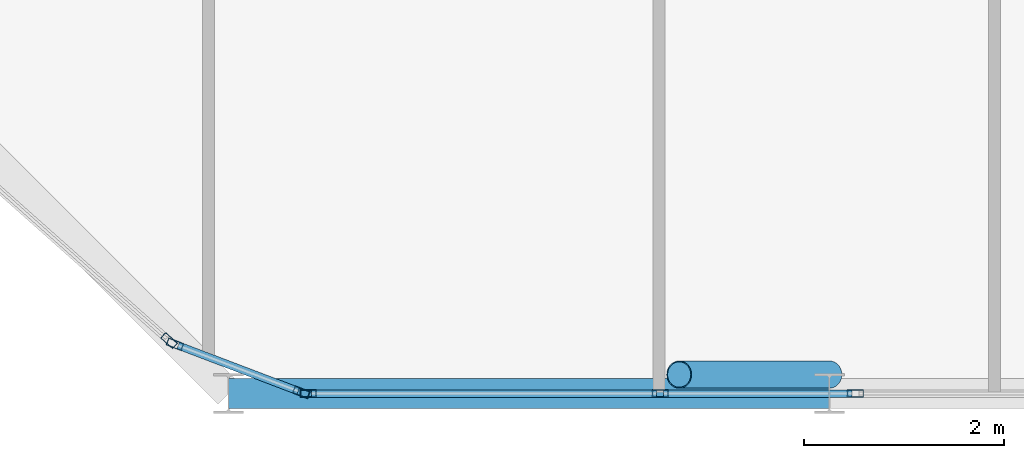
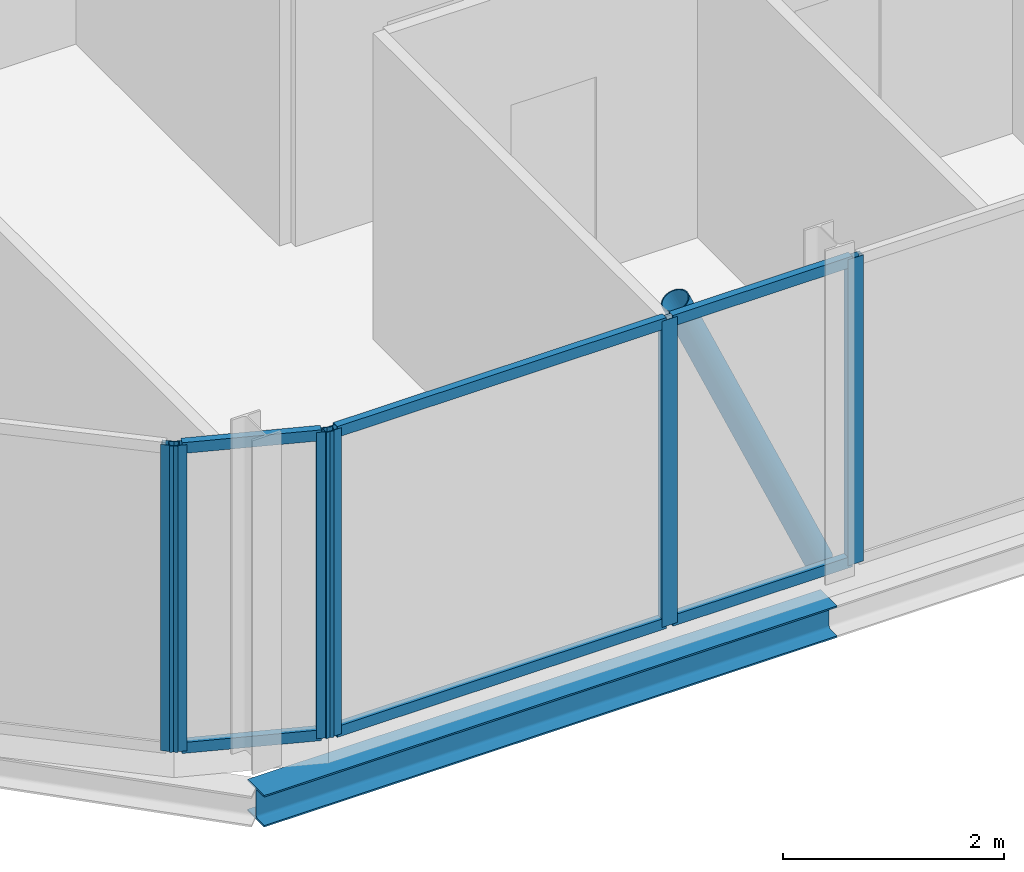
# One storey, part 6 of 27: 13 members, 1 beam, 5 elements without a shape of their own.
"""IFC4 building model written with IfcOpenShell, lengths in metres."""

from ifc_helpers import new_model, si_unit, direction, frame, origin, origin_2d, place, context, subcontext, project, spatial, hollow_rectangle, hollow_circle, i_section, extrude, material, layer, layer_set, material_profile, profile_set, type_object, element, aggregate, save


model = new_model("IFC4")

# Units and contexts
model_context = context("Model", 3, precision=1e-05, world=origin(), true_north=direction((0.0, 1.0)))
body_context = subcontext(model_context, "Body", "Model", "MODEL_VIEW")
ifc_project = project(units=[si_unit("LENGTHUNIT", "METRE"), si_unit("AREAUNIT", "SQUARE_METRE"), si_unit("VOLUMEUNIT", "CUBIC_METRE"), si_unit("PLANEANGLEUNIT", "RADIAN"), si_unit("MASSUNIT", "GRAM", prefix="KILO")], contexts=[model_context])

# Site, building, storey
site_placement = place(None, origin())
site = spatial("IfcSite", under=ifc_project, at=site_placement, CompositionType="ELEMENT")
building_placement = place(site_placement, origin())
building = spatial("IfcBuilding", under=site, at=building_placement, Name="Keshet Zoharim Tower", CompositionType="ELEMENT")
storey_placement = place(building_placement, frame((0.0, 0.0, 247.300048828125)))
storey = spatial("IfcBuildingStorey", under=building, at=storey_placement, Name="L61", CompositionType="ELEMENT", Elevation=247.300048828125)

# Beam
ifc_material_1 = material(Name="Steel S355", Category="steel")
ifc_material_profile_1 = material_profile(ifc_material_1, i_section(OverallWidth=0.300048828125, OverallDepth=0.35009765625, WebThickness=0.010009765625, FlangeThickness=0.017578125, FilletRadius=0.027099609375, at=origin_2d()), Name="HEA360")
ifc_profile_set_1 = profile_set([ifc_material_profile_1], Name="Steel S355")
beam_type = type_object("IfcBeamType", Name="BM-PRI-HA360", PredefinedType="BEAM", material=ifc_profile_set_1)
beam_placement = place(storey_placement, frame((21.0, 6.699951171875, -0.485107421875), z_axis=(1.0, 0.0, 0.0), x_axis=(0.0, 1.0, 0.0)))
element("IfcBeam", 1, at=beam_placement, inside=storey, type_object=beam_type, Name="L61 Primary Girder X-001", PredefinedType="BEAM", context=body_context, shape_type="SweptSolid", body=[
    extrude(i_section(OverallWidth=0.300048828125, OverallDepth=0.35009765625, WebThickness=0.010009765625, FlangeThickness=0.017578125, FilletRadius=0.027099609375, at=origin_2d()), origin(), (0.0, 0.0, 1.0), 6.0),
])

# Curtain wall, member
ifc_material_2 = material(Name="Aluminium 6063-T6", Category="aluminium")
ifc_layer = layer(ifc_material_2, 0.260009765625)
ifc_layer_set = layer_set([ifc_layer], Name="Aluminium 6063-T6")
curtain_wall_type = type_object("IfcCurtainWallType", Name="CW-SYS-06", PredefinedType="NOTDEFINED", material=ifc_layer_set)
curtain_wall_1_placement = place(storey_placement, origin())
curtain_wall_1 = element("IfcCurtainWall", 2, at=curtain_wall_1_placement, inside=storey, type_object=curtain_wall_type, Name="L61 Unitised Curtain Wall 14", PredefinedType="NOTDEFINED")
ifc_material_profile_2 = material_profile(ifc_material_2, hollow_rectangle(XDim=0.074951171875, YDim=0.159912109375, WallThickness=0.00390625, at=origin_2d()), Name="MUL-75x160")
ifc_profile_set_2 = profile_set([ifc_material_profile_2], Name="Aluminium 6063-T6")
member_type_1 = type_object("IfcMemberType", Name="CWM-M15", PredefinedType="MULLION", material=ifc_profile_set_2)
member_1_placement = place(storey_placement, frame((27.259765625, 6.699951171875, 0.0), z_axis=(0.0, 0.0, 1.0), x_axis=(0.0, -1.0, 0.0)))
member_1 = element("IfcMember", 3, at=member_1_placement, type_object=member_type_1, Name="CW-06 mullion 2", PredefinedType="MULLION", context=body_context, shape_type="SweptSolid", body=[
    extrude(hollow_rectangle(XDim=0.074951171875, YDim=0.159912109375, WallThickness=0.00390625, at=origin_2d()), origin(), (0.0, 0.0, 1.0), 3.389892578125),
])
aggregate(curtain_wall_1, [member_1])

curtain_wall_2_placement = place(storey_placement, origin())
curtain_wall_2 = element("IfcCurtainWall", 4, at=curtain_wall_2_placement, inside=storey, type_object=curtain_wall_type, Name="L61 Unitised Curtain Wall 14 Part 2", PredefinedType="NOTDEFINED")
member_2_placement = place(storey_placement, frame((25.310302734375, 6.699951171875, 0.0), z_axis=(0.0, 0.0, 1.0), x_axis=(0.0, -1.0, 0.0)))
member_2 = element("IfcMember", 5, at=member_2_placement, type_object=member_type_1, Name="CW-06 mullion 2", PredefinedType="MULLION", context=body_context, shape_type="SweptSolid", body=[
    extrude(hollow_rectangle(XDim=0.074951171875, YDim=0.159912109375, WallThickness=0.00390625, at=origin_2d()), origin(), (0.0, 0.0, 1.0), 3.389892578125),
])

curtain_wall_3_placement = place(storey_placement, origin())
curtain_wall_3 = element("IfcCurtainWall", 6, at=curtain_wall_3_placement, inside=storey, type_object=curtain_wall_type, Name="L61 Unitised Curtain Wall 14 Part 3", PredefinedType="NOTDEFINED")
member_3_placement = place(storey_placement, frame((21.794921875, 6.699951171875, 0.0), z_axis=(0.0, 0.0, 1.0), x_axis=(0.0, -1.0, 0.0)))
member_3 = element("IfcMember", 7, at=member_3_placement, type_object=member_type_1, Name="CW-06 mullion 2", PredefinedType="MULLION", context=body_context, shape_type="SweptSolid", body=[
    extrude(hollow_rectangle(XDim=0.074951171875, YDim=0.159912109375, WallThickness=0.00390625, at=origin_2d()), origin(), (0.0, 0.0, 1.0), 3.389892578125),
])

# Curtain wall, members
curtain_wall_4_placement = place(storey_placement, origin())
curtain_wall_4 = element("IfcCurtainWall", 8, at=curtain_wall_4_placement, inside=storey, type_object=curtain_wall_type, Name="L61 Unitised Curtain Wall 15", PredefinedType="NOTDEFINED")
member_4_placement = place(storey_placement, frame((21.727294921875, 6.71240234375, 0.0), z_axis=(0.0, 0.0, 1.0), x_axis=(-0.355439161326, -0.934699418314, 0.0)))
member_4 = element("IfcMember", 9, at=member_4_placement, type_object=member_type_1, Name="CW-06 mullion 1", PredefinedType="MULLION", context=body_context, shape_type="SweptSolid", body=[
    extrude(hollow_rectangle(XDim=0.074951171875, YDim=0.159912109375, WallThickness=0.00390625, at=origin_2d()), origin(), (0.0, 0.0, 1.0), 3.389892578125),
])
member_5_placement = place(storey_placement, frame((20.464599609375, 7.192626953125, 0.0), z_axis=(0.0, 0.0, 1.0), x_axis=(-0.355439161326, -0.934699418314, 0.0)))
member_5 = element("IfcMember", 10, at=member_5_placement, type_object=member_type_1, Name="CW-06 mullion 2", PredefinedType="MULLION", context=body_context, shape_type="SweptSolid", body=[
    extrude(hollow_rectangle(XDim=0.074951171875, YDim=0.159912109375, WallThickness=0.00390625, at=origin_2d()), origin(), (0.0, 0.0, 1.0), 3.389892578125),
])

# Curtain wall, member
curtain_wall_5_placement = place(storey_placement, origin())
curtain_wall_5 = element("IfcCurtainWall", 11, at=curtain_wall_5_placement, inside=storey, type_object=curtain_wall_type, Name="L61 Unitised Curtain Wall 16", PredefinedType="NOTDEFINED")
member_6_placement = place(storey_placement, frame((20.40576171875, 7.228271484375, 0.0), z_axis=(0.0, 0.0, 1.0), x_axis=(-0.664362180559, -0.747410792699, 0.0)))
member_6 = element("IfcMember", 12, at=member_6_placement, type_object=member_type_1, Name="CW-06 mullion 1", PredefinedType="MULLION", context=body_context, shape_type="SweptSolid", body=[
    extrude(hollow_rectangle(XDim=0.074951171875, YDim=0.159912109375, WallThickness=0.00390625, at=origin_2d()), origin(), (0.0, 0.0, 1.0), 3.389892578125),
])
aggregate(curtain_wall_5, [member_6])

# Member
ifc_material_profile_3 = material_profile(ifc_material_2, hollow_rectangle(XDim=0.074951171875, YDim=0.1201171875, WallThickness=0.00390625, at=origin_2d()), Name="TRN-75x120")
ifc_profile_set_3 = profile_set([ifc_material_profile_3], Name="Aluminium 6063-T6")
member_type_2 = type_object("IfcMemberType", Name="CWT-T12", PredefinedType="USERDEFINED", material=ifc_profile_set_3)
member_7_placement = place(storey_placement, frame((27.224853515625, 6.699951171875, 0.034912109375), z_axis=(-1.0, 0.0, 0.0), x_axis=(0.0, -1.0, 0.0)))
member_7 = element("IfcMember", 13, at=member_7_placement, type_object=member_type_2, Name="CW-06 transom 1.1", ObjectType="TRANSOM", PredefinedType="USERDEFINED", context=body_context, shape_type="SweptSolid", body=[
    extrude(hollow_rectangle(XDim=0.074951171875, YDim=0.1201171875, WallThickness=0.00390625, at=origin_2d()), origin(), (0.0, 0.0, 1.0), 1.879638671875),
])

member_8_placement = place(storey_placement, frame((27.224853515625, 6.699951171875, 3.35498046875), z_axis=(-1.0, 0.0, 0.0), x_axis=(0.0, -1.0, 0.0)))
member_8 = element("IfcMember", 14, at=member_8_placement, type_object=member_type_2, Name="CW-06 transom 1.2", ObjectType="TRANSOM", PredefinedType="USERDEFINED", context=body_context, shape_type="SweptSolid", body=[
    extrude(hollow_rectangle(XDim=0.074951171875, YDim=0.1201171875, WallThickness=0.00390625, at=origin_2d()), origin(), (0.0, 0.0, 1.0), 1.879638671875),
])

aggregate(curtain_wall_2, [member_2, member_7, member_8])

member_9_placement = place(storey_placement, frame((25.275146484375, 6.699951171875, 0.034912109375), z_axis=(-1.0, 0.0, 0.0), x_axis=(0.0, -1.0, 0.0)))
member_9 = element("IfcMember", 15, at=member_9_placement, type_object=member_type_2, Name="CW-06 transom 1.1", ObjectType="TRANSOM", PredefinedType="USERDEFINED", context=body_context, shape_type="SweptSolid", body=[
    extrude(hollow_rectangle(XDim=0.074951171875, YDim=0.1201171875, WallThickness=0.00390625, at=origin_2d()), origin(), (0.0, 0.0, 1.0), 3.445068359375),
])

member_10_placement = place(storey_placement, frame((25.275146484375, 6.699951171875, 3.35498046875), z_axis=(-1.0, 0.0, 0.0), x_axis=(0.0, -1.0, 0.0)))
member_10 = element("IfcMember", 16, at=member_10_placement, type_object=member_type_2, Name="CW-06 transom 1.2", ObjectType="TRANSOM", PredefinedType="USERDEFINED", context=body_context, shape_type="SweptSolid", body=[
    extrude(hollow_rectangle(XDim=0.074951171875, YDim=0.1201171875, WallThickness=0.00390625, at=origin_2d()), origin(), (0.0, 0.0, 1.0), 3.445068359375),
])

aggregate(curtain_wall_3, [member_3, member_9, member_10])

member_11_placement = place(storey_placement, frame((21.694580078125, 6.724853515625, 0.034912109375), z_axis=(-0.934689881536, 0.355464239206, 0.0), x_axis=(-0.355464239206, -0.934689881536, 0.0)))
member_11 = element("IfcMember", 17, at=member_11_placement, type_object=member_type_2, Name="CW-06 transom 1.1", ObjectType="TRANSOM", PredefinedType="USERDEFINED", context=body_context, shape_type="SweptSolid", body=[
    extrude(hollow_rectangle(XDim=0.074951171875, YDim=0.1201171875, WallThickness=0.00390625, at=origin_2d()), origin(), (0.0, 0.0, 1.0), 1.281005859375),
])

member_12_placement = place(storey_placement, frame((21.694580078125, 6.724853515625, 3.35498046875), z_axis=(-0.934689881536, 0.355464239206, 0.0), x_axis=(-0.355464239206, -0.934689881536, 0.0)))
member_12 = element("IfcMember", 18, at=member_12_placement, type_object=member_type_2, Name="CW-06 transom 1.2", ObjectType="TRANSOM", PredefinedType="USERDEFINED", context=body_context, shape_type="SweptSolid", body=[
    extrude(hollow_rectangle(XDim=0.074951171875, YDim=0.1201171875, WallThickness=0.00390625, at=origin_2d()), origin(), (0.0, 0.0, 1.0), 1.281005859375),
])

aggregate(curtain_wall_4, [member_4, member_5, member_11, member_12])

ifc_material_profile_4 = material_profile(ifc_material_1, hollow_circle(Radius=0.136474609375, WallThickness=0.010009765625, at=origin_2d()), Name="CHS273x10")
ifc_profile_set_4 = profile_set([ifc_material_profile_4], Name="Steel S355")
member_type_3 = type_object("IfcMemberType", Name="MB-BR-C273", PredefinedType="BRACE", material=ifc_profile_set_4)
member_13_placement = place(storey_placement, frame((27.0, 6.889892578125, 0.0), z_axis=(-0.40464689807, 0.0, 0.914473011019), x_axis=(0.0, -1.0, 0.0)))
element("IfcMember", 19, at=member_13_placement, inside=storey, type_object=member_type_3, Name="L61 Perimeter Tube Brace 02", PredefinedType="BRACE", context=body_context, shape_type="SweptSolid", body=[
    extrude(hollow_circle(Radius=0.136474609375, WallThickness=0.010009765625, at=origin_2d()), origin(), (0.0, 0.0, 1.0), 3.70703125),
])

save(model, "model.ifc")
